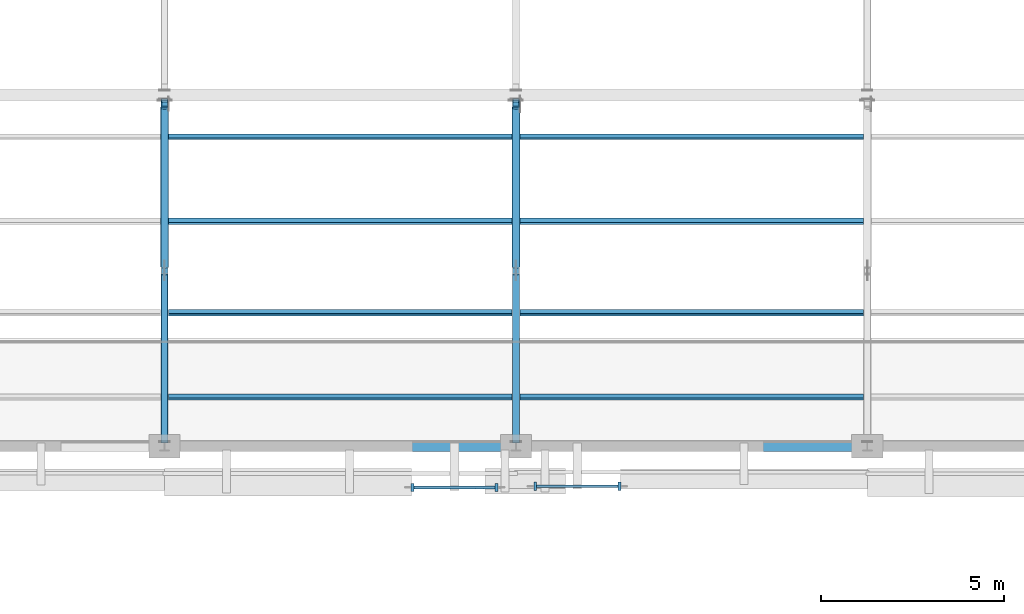
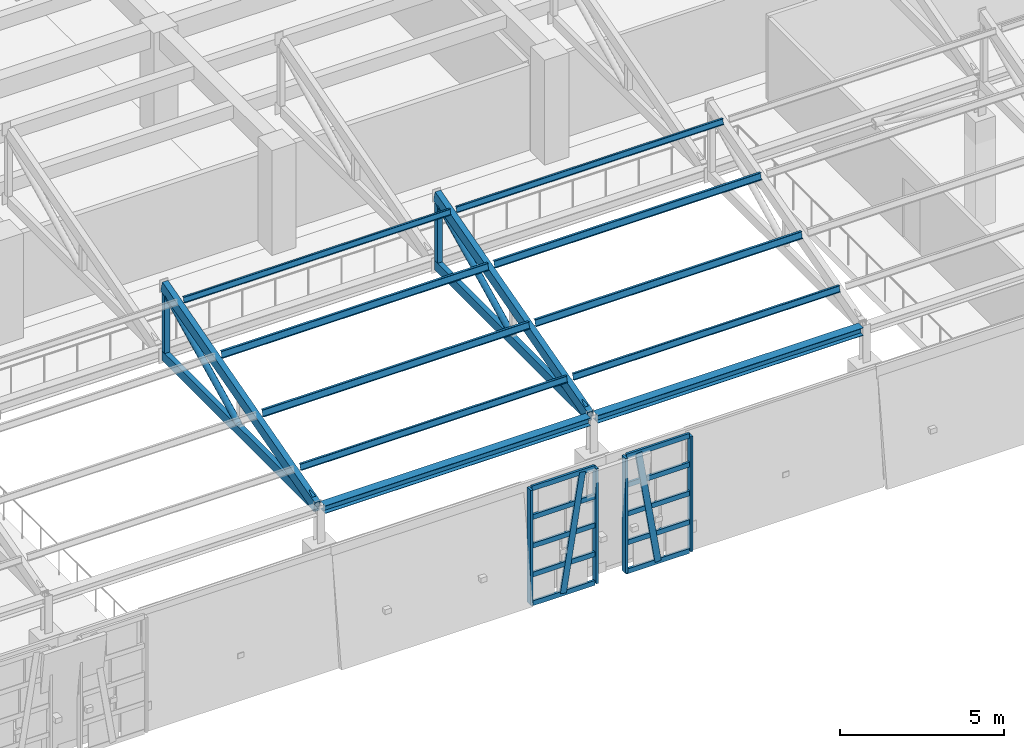
# One storey, part 15 of 58: 34 members, 2 beams, 2 elements without a shape of their own.
"""IFC4 building model written with IfcOpenShell, lengths in metres."""

from ifc_helpers import new_model, si_unit, direction, frame, origin, origin_2d, place, context, subcontext, project, spatial, rectangle, hollow_rectangle, hollow_circle, i_section, extrude, material, layer, layer_set, material_profile, profile_set, type_object, element, aggregate, save


model = new_model("IFC4")

# Units and contexts
model_context = context("Model", 3, precision=1e-05, world=origin(), true_north=direction((0.0, 1.0)))
body_context = subcontext(model_context, "Body", "Model", "MODEL_VIEW")
ifc_project = project(units=[si_unit("LENGTHUNIT", "METRE"), si_unit("AREAUNIT", "SQUARE_METRE"), si_unit("VOLUMEUNIT", "CUBIC_METRE"), si_unit("PLANEANGLEUNIT", "RADIAN"), si_unit("MASSUNIT", "GRAM", prefix="KILO")], contexts=[model_context])

# Site, building, storey
site_placement = place(None, origin())
site = spatial("IfcSite", under=ifc_project, at=site_placement, CompositionType="ELEMENT")
building_placement = place(site_placement, origin())
building = spatial("IfcBuilding", under=site, at=building_placement, Name="Bempovik Park Faculty of Sciences", CompositionType="ELEMENT")
storey_placement = place(building_placement, frame((0.0, 0.0, 18.300048828125)))
storey = spatial("IfcBuildingStorey", under=building, at=storey_placement, Name="L04", CompositionType="ELEMENT", Elevation=18.300048828125)

# Beams
ifc_material_1 = material(Name="Steel S355", Category="steel")
ifc_material_profile_1 = material_profile(ifc_material_1, i_section(OverallWidth=0.300048828125, OverallDepth=0.2900390625, WebThickness=0.008544921875, FlangeThickness=0.013916015625, at=origin_2d()), Name="HEA 300")
ifc_profile_set_1 = profile_set([ifc_material_profile_1], Name="Steel S355")
beam_type = type_object("IfcBeamType", Name="B-131 HEA 300", PredefinedType="BEAM", material=ifc_profile_set_1)
beam_1_placement = place(storey_placement, frame((79.330078125, 67.800048828125, 5.179931640625), z_axis=(1.0, 0.0, 0.0), x_axis=(0.0, 1.0, 0.0)))
element("IfcBeam", 1, at=beam_1_placement, inside=storey, type_object=beam_type, Name="Sawtooth Valley Tie Beam V2-B1 (79.2-88.8)", PredefinedType="BEAM", context=body_context, shape_type="SweptSolid", body=[
    extrude(i_section(OverallWidth=0.300048828125, OverallDepth=0.2900390625, WebThickness=0.008544921875, FlangeThickness=0.013916015625, at=origin_2d()), origin(), (0.0, 0.0, 1.0), 9.33984375),
])
beam_2_placement = place(storey_placement, frame((88.929931640625, 67.800048828125, 5.179931640625), z_axis=(1.0, 0.0, 0.0), x_axis=(0.0, 1.0, 0.0)))
element("IfcBeam", 2, at=beam_2_placement, inside=storey, type_object=beam_type, Name="Sawtooth Valley Tie Beam V2-B1 (88.8-98.4)", PredefinedType="BEAM", context=body_context, shape_type="SweptSolid", body=[
    extrude(i_section(OverallWidth=0.300048828125, OverallDepth=0.2900390625, WebThickness=0.008544921875, FlangeThickness=0.013916015625, at=origin_2d()), origin(), (0.0, 0.0, 1.0), 9.340087890625),
])

# Members
ifc_material_profile_2 = material_profile(ifc_material_1, hollow_rectangle(XDim=0.175048828125, YDim=0.35009765625, WallThickness=0.012451171875, at=origin_2d()), Name="RHS 350x175x12.5")
ifc_profile_set_2 = profile_set([ifc_material_profile_2], Name="Steel S355")
member_type_1 = type_object("IfcMemberType", Name="M-15 RHS 350x175x12.5", PredefinedType="CHORD", material=ifc_profile_set_2)
for number, where, z_axis, x_axis, name in (
    (3, (79.199951171875, 67.93603515625, 5.179931640625), (0.0, 1.0, 0.0), (-1.0, 0.0, 0.0), "Sawtooth Bottom Chord V2-B1 (79.2)"),
    (4, (88.800048828125, 67.93603515625, 5.179931640625), (0.0, 1.0, 0.0), (-1.0, 0.0, 0.0), "Sawtooth Bottom Chord V2-B1 (88.8)"),
):
    element("IfcMember", number, at=place(storey_placement, frame(where, z_axis=z_axis, x_axis=x_axis)), inside=storey, type_object=member_type_1, Name=name, PredefinedType="CHORD", context=body_context, shape_type="SweptSolid", body=[
        extrude(hollow_rectangle(XDim=0.175048828125, YDim=0.35009765625, WallThickness=0.012451171875, at=origin_2d()), origin(), (0.0, 0.0, 1.0), 9.307861328125),
    ])
ifc_material_profile_3 = material_profile(ifc_material_1, i_section(OverallWidth=0.110107421875, OverallDepth=0.219970703125, WebThickness=0.005859375, FlangeThickness=0.00927734375, at=origin_2d()), Name="IPE 220")
ifc_profile_set_3 = profile_set([ifc_material_profile_3], Name="Steel S355")
member_type_2 = type_object("IfcMemberType", Name="M-18 IPE 220", PredefinedType="PURLIN", material=ifc_profile_set_3)
member_1_placement = place(storey_placement, frame((79.305908203125, 69.14404296875, 5.87744140625), z_axis=(1.0, 0.0, 0.0), x_axis=(0.0, 0.965925826289, -0.258819045103)))
element("IfcMember", 5, at=member_1_placement, inside=storey, type_object=member_type_2, Name="Sawtooth Roof Purlin V2-B1 (79.2-88.8) #1", PredefinedType="PURLIN", context=body_context, shape_type="SweptSolid", body=[
    extrude(i_section(OverallWidth=0.110107421875, OverallDepth=0.219970703125, WebThickness=0.005859375, FlangeThickness=0.00927734375, at=origin_2d()), origin(), (0.0, 0.0, 1.0), 9.38818359375),
])
member_2_placement = place(storey_placement, frame((88.906005859375, 69.14404296875, 5.87744140625), z_axis=(1.0, 0.0, 0.0), x_axis=(0.0, 0.965925826289, -0.258819045103)))
element("IfcMember", 6, at=member_2_placement, inside=storey, type_object=member_type_2, Name="Sawtooth Roof Purlin V2-B1 (88.8-98.4) #1", PredefinedType="PURLIN", context=body_context, shape_type="SweptSolid", body=[
    extrude(i_section(OverallWidth=0.110107421875, OverallDepth=0.219970703125, WebThickness=0.005859375, FlangeThickness=0.00927734375, at=origin_2d()), origin(), (0.0, 0.0, 1.0), 9.387939453125),
])
ifc_material_profile_4 = material_profile(ifc_material_1, hollow_circle(Radius=0.109619140625, WallThickness=0.010009765625, at=origin_2d()), Name="CHS 219.1x10")
ifc_profile_set_4 = profile_set([ifc_material_profile_4], Name="Steel S355")
member_type_3 = type_object("IfcMemberType", Name="M-22 CHS 219.1x10", PredefinedType="BRACE", material=ifc_profile_set_4)
for number, where, z_axis, x_axis, name in (
    (7, (79.199951171875, 72.705078125, 5.36083984375), (0.0, 0.896782958268, 0.442470706105), (-1.0, 0.0, 0.0), "Sawtooth Web Diagonal 2 V2-B1 (79.2)"),
    (8, (88.800048828125, 72.705078125, 5.36083984375), (0.0, 0.896782958268, 0.442470706105), (-1.0, 0.0, 0.0), "Sawtooth Web Diagonal 2 V2-B1 (88.8)"),
):
    element("IfcMember", number, at=place(storey_placement, frame(where, z_axis=z_axis, x_axis=x_axis)), inside=storey, type_object=member_type_3, Name=name, PredefinedType="BRACE", context=body_context, shape_type="SweptSolid", body=[
        extrude(hollow_circle(Radius=0.109619140625, WallThickness=0.010009765625, at=origin_2d()), origin(), (0.0, 0.0, 1.0), 4.844970703125),
    ])
ifc_material_profile_5 = material_profile(ifc_material_1, hollow_rectangle(XDim=0.179931640625, YDim=0.179931640625, WallThickness=0.008056640625, at=origin_2d()), Name="SHS 180x180x8")
ifc_profile_set_5 = profile_set([ifc_material_profile_5], Name="Steel S355")
member_type_4 = type_object("IfcMemberType", Name="M-40 SHS 180x180x8", PredefinedType="POST", material=ifc_profile_set_5)
for number, where, z_axis, x_axis, name in (
    (9, (79.199951171875, 77.14990234375, 5.36083984375), (0.0, 0.0, 1.0), (1.0, 0.0, 0.0), "Sawtooth North-Light Post V2-B1 (79.2)"),
    (10, (88.800048828125, 77.14990234375, 5.36083984375), (0.0, 0.0, 1.0), (1.0, 0.0, 0.0), "Sawtooth North-Light Post V2-B1 (88.8)"),
):
    element("IfcMember", number, at=place(storey_placement, frame(where, z_axis=z_axis, x_axis=x_axis)), inside=storey, type_object=member_type_4, Name=name, PredefinedType="POST", context=body_context, shape_type="SweptSolid", body=[
        extrude(hollow_rectangle(XDim=0.179931640625, YDim=0.179931640625, WallThickness=0.008056640625, at=origin_2d()), origin(), (0.0, 0.0, 1.0), 2.143798828125),
    ])
ifc_material_profile_6 = material_profile(ifc_material_1, i_section(OverallWidth=0.10009765625, OverallDepth=0.199951171875, WebThickness=0.005615234375, FlangeThickness=0.008544921875, at=origin_2d()), Name="IPE 200")
ifc_profile_set_6 = profile_set([ifc_material_profile_6], Name="Steel S355")
member_type_5 = type_object("IfcMemberType", Name="M-48 IPE 200", PredefinedType="PURLIN", material=ifc_profile_set_6)
member_3_placement = place(storey_placement, frame((79.305908203125, 76.248046875, 7.790771484375), z_axis=(1.0, 0.0, 0.0), x_axis=(0.0, 0.965925826289, -0.258819045103)))
element("IfcMember", 11, at=member_3_placement, inside=storey, type_object=member_type_5, Name="Sawtooth Roof Purlin V2-B1 (79.2-88.8) #4", PredefinedType="PURLIN", context=body_context, shape_type="SweptSolid", body=[
    extrude(i_section(OverallWidth=0.10009765625, OverallDepth=0.199951171875, WebThickness=0.005615234375, FlangeThickness=0.008544921875, at=origin_2d()), origin(), (0.0, 0.0, 1.0), 9.38818359375),
])
member_4_placement = place(storey_placement, frame((88.906005859375, 76.248046875, 7.790771484375), z_axis=(1.0, 0.0, 0.0), x_axis=(0.0, 0.965925826289, -0.258819045103)))
element("IfcMember", 12, at=member_4_placement, inside=storey, type_object=member_type_5, Name="Sawtooth Roof Purlin V2-B1 (88.8-98.4) #4", PredefinedType="PURLIN", context=body_context, shape_type="SweptSolid", body=[
    extrude(i_section(OverallWidth=0.10009765625, OverallDepth=0.199951171875, WebThickness=0.005615234375, FlangeThickness=0.008544921875, at=origin_2d()), origin(), (0.0, 0.0, 1.0), 9.387939453125),
])
ifc_material_profile_7 = material_profile(ifc_material_1, hollow_rectangle(XDim=0.199951171875, YDim=0.39990234375, WallThickness=0.01611328125, at=origin_2d()), Name="RHS 400x200x16")
ifc_profile_set_7 = profile_set([ifc_material_profile_7], Name="Steel S355")
member_type_6 = type_object("IfcMemberType", Name="M-53 RHS 400x200x16", PredefinedType="CHORD", material=ifc_profile_set_7)
for number, where, z_axis, x_axis, name in (
    (13, (79.199951171875, 67.93603515625, 5.182373046875), (0.0, 0.963870941046, 0.266369684849), (-1.0, 0.0, 0.0), "Sawtooth Top Rafter Chord V2-B1 (79.2)"),
    (14, (88.800048828125, 67.93603515625, 5.182373046875), (0.0, 0.963870941046, 0.266369684849), (-1.0, 0.0, 0.0), "Sawtooth Top Rafter Chord V2-B1 (88.8)"),
):
    element("IfcMember", number, at=place(storey_placement, frame(where, z_axis=z_axis, x_axis=x_axis)), inside=storey, type_object=member_type_6, Name=name, PredefinedType="CHORD", context=body_context, shape_type="SweptSolid", body=[
        extrude(hollow_rectangle(XDim=0.199951171875, YDim=0.39990234375, WallThickness=0.01611328125, at=origin_2d()), origin(), (0.0, 0.0, 1.0), 9.65673828125),
    ])
ifc_material_profile_8 = material_profile(ifc_material_1, hollow_circle(Radius=0.096923828125, WallThickness=0.008056640625, at=origin_2d()), Name="CHS 193.7x8")
ifc_profile_set_8 = profile_set([ifc_material_profile_8], Name="Steel S355")
member_type_7 = type_object("IfcMemberType", Name="M-74 CHS 193.7x8", PredefinedType="BRACE", material=ifc_profile_set_8)
for number, where, z_axis, x_axis, name in (
    (15, (79.199951171875, 68.110107421875, 5.36083984375), (0.0, 0.980118341504, 0.198413801554), (-1.0, 0.0, 0.0), "Sawtooth Web Diagonal 1 V2-B1 (79.2)"),
    (16, (88.800048828125, 68.110107421875, 5.36083984375), (0.0, 0.980118341504, 0.198413801554), (-1.0, 0.0, 0.0), "Sawtooth Web Diagonal 1 V2-B1 (88.8)"),
):
    element("IfcMember", number, at=place(storey_placement, frame(where, z_axis=z_axis, x_axis=x_axis)), inside=storey, type_object=member_type_7, Name=name, PredefinedType="BRACE", context=body_context, shape_type="SweptSolid", body=[
        extrude(hollow_circle(Radius=0.096923828125, WallThickness=0.008056640625, at=origin_2d()), origin(), (0.0, 0.0, 1.0), 4.473876953125),
    ])
ifc_material_profile_9 = material_profile(ifc_material_1, i_section(OverallWidth=0.1201171875, OverallDepth=0.239990234375, WebThickness=0.006103515625, FlangeThickness=0.009765625, at=origin_2d()), Name="IPE 240")
ifc_profile_set_9 = profile_set([ifc_material_profile_9], Name="Steel S355")
member_type_8 = type_object("IfcMemberType", Name="M-86 IPE 240", PredefinedType="PURLIN", material=ifc_profile_set_9)
for number, where, z_axis, x_axis, name in (
    (17, (79.305908203125, 71.447998046875, 6.48486328125), (1.0, 0.0, 0.0), (0.0, 0.965925826289, -0.258819045103), "Sawtooth Roof Purlin V2-B1 (79.2-88.8) #2"),
    (18, (79.305908203125, 73.944091796875, 7.153564453125), (1.0, 0.0, 0.0), (0.0, 0.965925826289, -0.258819045103), "Sawtooth Roof Purlin V2-B1 (79.2-88.8) #3"),
):
    element("IfcMember", number, at=place(storey_placement, frame(where, z_axis=z_axis, x_axis=x_axis)), inside=storey, type_object=member_type_8, Name=name, PredefinedType="PURLIN", context=body_context, shape_type="SweptSolid", body=[
        extrude(i_section(OverallWidth=0.1201171875, OverallDepth=0.239990234375, WebThickness=0.006103515625, FlangeThickness=0.009765625, at=origin_2d()), origin(), (0.0, 0.0, 1.0), 9.38818359375),
    ])
for number, where, z_axis, x_axis, name in (
    (19, (88.906005859375, 71.447998046875, 6.48486328125), (1.0, 0.0, 0.0), (0.0, 0.965925826289, -0.258819045103), "Sawtooth Roof Purlin V2-B1 (88.8-98.4) #2"),
    (20, (88.906005859375, 73.944091796875, 7.153564453125), (1.0, 0.0, 0.0), (0.0, 0.965925826289, -0.258819045103), "Sawtooth Roof Purlin V2-B1 (88.8-98.4) #3"),
):
    element("IfcMember", number, at=place(storey_placement, frame(where, z_axis=z_axis, x_axis=x_axis)), inside=storey, type_object=member_type_8, Name=name, PredefinedType="PURLIN", context=body_context, shape_type="SweptSolid", body=[
        extrude(i_section(OverallWidth=0.1201171875, OverallDepth=0.239990234375, WebThickness=0.006103515625, FlangeThickness=0.009765625, at=origin_2d()), origin(), (0.0, 0.0, 1.0), 9.387939453125),
    ])

# Curtain wall, members
ifc_material_2 = material(Name="Tempered laminated low-E glass", Category="glass")
ifc_layer = layer(ifc_material_2, 0.159912109375)
ifc_layer_set = layer_set([ifc_layer], Name="Tempered laminated low-E glass")
curtain_wall_type = type_object("IfcCurtainWallType", Name="CW-33 Curtain 2400x4000", PredefinedType="USERDEFINED", material=ifc_layer_set)
curtain_wall_1_placement = place(storey_placement, origin())
curtain_wall_1 = element("IfcCurtainWall", 21, at=curtain_wall_1_placement, inside=storey, type_object=curtain_wall_type, Name="L04 Crystal Slantwise Light Fold (67.8,79.2)", ObjectType="UNITISED CURTAIN WALL", PredefinedType="USERDEFINED")
ifc_material_3 = material(Name="Anodised architectural bronze", Category="aluminium")
ifc_material_profile_10 = material_profile(ifc_material_3, rectangle(XDim=0.080078125, YDim=0.219970703125, at=origin_2d()), Name="ALU-M 80x220")
ifc_profile_set_10 = profile_set([ifc_material_profile_10], Name="Anodised architectural bronze")
member_type_9 = type_object("IfcMemberType", Name="ML-29 ALU-M 80x220", PredefinedType="MULLION", material=ifc_profile_set_10)
member_5_placement = place(storey_placement, frame((85.972900390625, 66.6748046875, -0.0400390625), z_axis=(0.0, 0.0, 1.0), x_axis=(1.0, 0.0, 0.0)))
member_5 = element("IfcMember", 22, at=member_5_placement, type_object=member_type_9, Name="CW-FOLD-L04-678-792 Mullion 0", PredefinedType="MULLION", context=body_context, shape_type="SweptSolid", body=[
    extrude(rectangle(XDim=0.080078125, YDim=0.219970703125, at=origin_2d()), origin(), (0.0, 0.0, 1.0), 4.280029296875),
])
member_6_placement = place(storey_placement, frame((87.123046875, 66.6748046875, -0.0400390625), z_axis=(0.156894017146, 0.0, 0.987615445092), x_axis=(0.0, 1.0, 0.0)))
member_6 = element("IfcMember", 23, at=member_6_placement, type_object=member_type_9, Name="CW-FOLD-L04-678-792 Mullion 1", PredefinedType="MULLION", context=body_context, shape_type="SweptSolid", body=[
    extrude(rectangle(XDim=0.080078125, YDim=0.219970703125, at=origin_2d()), origin(), (0.0, 0.0, 1.0), 4.333740234375),
])
member_7_placement = place(storey_placement, frame((88.27294921875, 66.6748046875, -0.0400390625), z_axis=(0.0, 0.0, 1.0), x_axis=(1.0, 0.0, 0.0)))
member_7 = element("IfcMember", 24, at=member_7_placement, type_object=member_type_9, Name="CW-FOLD-L04-678-792 Mullion 2", PredefinedType="MULLION", context=body_context, shape_type="SweptSolid", body=[
    extrude(rectangle(XDim=0.080078125, YDim=0.219970703125, at=origin_2d()), origin(), (0.0, 0.0, 1.0), 4.280029296875),
])

curtain_wall_2_placement = place(storey_placement, origin())
curtain_wall_2 = element("IfcCurtainWall", 25, at=curtain_wall_2_placement, inside=storey, type_object=curtain_wall_type, Name="L04 Crystal Slantwise Light Fold (67.8,88.8)", ObjectType="UNITISED CURTAIN WALL", PredefinedType="USERDEFINED")
member_8_placement = place(storey_placement, frame((89.326904296875, 66.704345703125, -0.0400390625), z_axis=(0.0, 0.0, 1.0), x_axis=(1.0, 0.0, 0.0)))
member_8 = element("IfcMember", 26, at=member_8_placement, type_object=member_type_9, Name="CW-FOLD-L04-678-888 Mullion 0", PredefinedType="MULLION", context=body_context, shape_type="SweptSolid", body=[
    extrude(rectangle(XDim=0.080078125, YDim=0.219970703125, at=origin_2d()), origin(), (0.0, 0.0, 1.0), 4.280029296875),
])
member_9_placement = place(storey_placement, frame((90.47705078125, 66.704345703125, -0.0400390625), z_axis=(-0.156894017146, 0.0, 0.987615445092), x_axis=(0.0, -1.0, 0.0)))
member_9 = element("IfcMember", 27, at=member_9_placement, type_object=member_type_9, Name="CW-FOLD-L04-678-888 Mullion 1", PredefinedType="MULLION", context=body_context, shape_type="SweptSolid", body=[
    extrude(rectangle(XDim=0.080078125, YDim=0.219970703125, at=origin_2d()), origin(), (0.0, 0.0, 1.0), 4.333740234375),
])
member_10_placement = place(storey_placement, frame((91.626953125, 66.704345703125, -0.0400390625), z_axis=(0.0, 0.0, 1.0), x_axis=(1.0, 0.0, 0.0)))
member_10 = element("IfcMember", 28, at=member_10_placement, type_object=member_type_9, Name="CW-FOLD-L04-678-888 Mullion 2", PredefinedType="MULLION", context=body_context, shape_type="SweptSolid", body=[
    extrude(rectangle(XDim=0.080078125, YDim=0.219970703125, at=origin_2d()), origin(), (0.0, 0.0, 1.0), 4.280029296875),
])

# Member
ifc_material_profile_11 = material_profile(ifc_material_3, rectangle(XDim=0.080078125, YDim=0.179931640625, at=origin_2d()), Name="ALU-T 80x180")
ifc_profile_set_11 = profile_set([ifc_material_profile_11], Name="Anodised architectural bronze")
member_type_10 = type_object("IfcMemberType", Name="TR-29 ALU-T 80x180", PredefinedType="USERDEFINED", material=ifc_profile_set_11)
member_11_placement = place(storey_placement, frame((86.012939453125, 66.6748046875, -0.0400390625), z_axis=(1.0, 0.0, 0.0), x_axis=(0.0, 1.0, 0.0)))
member_11 = element("IfcMember", 29, at=member_11_placement, type_object=member_type_10, Name="CW-FOLD-L04-678-792 Transom 0", ObjectType="TRANSOM", PredefinedType="USERDEFINED", context=body_context, shape_type="SweptSolid", body=[
    extrude(rectangle(XDim=0.080078125, YDim=0.179931640625, at=origin_2d()), origin(), (0.0, 0.0, 1.0), 2.219970703125),
])

member_12_placement = place(storey_placement, frame((86.012939453125, 66.6748046875, 1.030029296875), z_axis=(1.0, 0.0, 0.0), x_axis=(0.0, 1.0, 0.0)))
member_12 = element("IfcMember", 30, at=member_12_placement, type_object=member_type_10, Name="CW-FOLD-L04-678-792 Transom 1", ObjectType="TRANSOM", PredefinedType="USERDEFINED", context=body_context, shape_type="SweptSolid", body=[
    extrude(rectangle(XDim=0.080078125, YDim=0.179931640625, at=origin_2d()), origin(), (0.0, 0.0, 1.0), 2.219970703125),
])

member_13_placement = place(storey_placement, frame((86.012939453125, 66.6748046875, 2.099853515625), z_axis=(1.0, 0.0, 0.0), x_axis=(0.0, 1.0, 0.0)))
member_13 = element("IfcMember", 31, at=member_13_placement, type_object=member_type_10, Name="CW-FOLD-L04-678-792 Transom 2", ObjectType="TRANSOM", PredefinedType="USERDEFINED", context=body_context, shape_type="SweptSolid", body=[
    extrude(rectangle(XDim=0.080078125, YDim=0.179931640625, at=origin_2d()), origin(), (0.0, 0.0, 1.0), 2.219970703125),
])

member_14_placement = place(storey_placement, frame((86.012939453125, 66.6748046875, 3.169921875), z_axis=(1.0, 0.0, 0.0), x_axis=(0.0, 1.0, 0.0)))
member_14 = element("IfcMember", 32, at=member_14_placement, type_object=member_type_10, Name="CW-FOLD-L04-678-792 Transom 3", ObjectType="TRANSOM", PredefinedType="USERDEFINED", context=body_context, shape_type="SweptSolid", body=[
    extrude(rectangle(XDim=0.080078125, YDim=0.179931640625, at=origin_2d()), origin(), (0.0, 0.0, 1.0), 2.219970703125),
])

member_15_placement = place(storey_placement, frame((86.012939453125, 66.6748046875, 4.239990234375), z_axis=(1.0, 0.0, 0.0), x_axis=(0.0, 1.0, 0.0)))
member_15 = element("IfcMember", 33, at=member_15_placement, type_object=member_type_10, Name="CW-FOLD-L04-678-792 Transom 4", ObjectType="TRANSOM", PredefinedType="USERDEFINED", context=body_context, shape_type="SweptSolid", body=[
    extrude(rectangle(XDim=0.080078125, YDim=0.179931640625, at=origin_2d()), origin(), (0.0, 0.0, 1.0), 2.219970703125),
])

aggregate(curtain_wall_1, [member_5, member_6, member_7, member_11, member_12, member_13, member_14, member_15])

member_16_placement = place(storey_placement, frame((89.366943359375, 66.704345703125, -0.0400390625), z_axis=(1.0, 0.0, 0.0), x_axis=(0.0, 1.0, 0.0)))
member_16 = element("IfcMember", 34, at=member_16_placement, type_object=member_type_10, Name="CW-FOLD-L04-678-888 Transom 0", ObjectType="TRANSOM", PredefinedType="USERDEFINED", context=body_context, shape_type="SweptSolid", body=[
    extrude(rectangle(XDim=0.080078125, YDim=0.179931640625, at=origin_2d()), origin(), (0.0, 0.0, 1.0), 2.219970703125),
])

member_17_placement = place(storey_placement, frame((89.366943359375, 66.704345703125, 1.030029296875), z_axis=(1.0, 0.0, 0.0), x_axis=(0.0, 1.0, 0.0)))
member_17 = element("IfcMember", 35, at=member_17_placement, type_object=member_type_10, Name="CW-FOLD-L04-678-888 Transom 1", ObjectType="TRANSOM", PredefinedType="USERDEFINED", context=body_context, shape_type="SweptSolid", body=[
    extrude(rectangle(XDim=0.080078125, YDim=0.179931640625, at=origin_2d()), origin(), (0.0, 0.0, 1.0), 2.219970703125),
])

member_18_placement = place(storey_placement, frame((89.366943359375, 66.704345703125, 2.099853515625), z_axis=(1.0, 0.0, 0.0), x_axis=(0.0, 1.0, 0.0)))
member_18 = element("IfcMember", 36, at=member_18_placement, type_object=member_type_10, Name="CW-FOLD-L04-678-888 Transom 2", ObjectType="TRANSOM", PredefinedType="USERDEFINED", context=body_context, shape_type="SweptSolid", body=[
    extrude(rectangle(XDim=0.080078125, YDim=0.179931640625, at=origin_2d()), origin(), (0.0, 0.0, 1.0), 2.219970703125),
])

member_19_placement = place(storey_placement, frame((89.366943359375, 66.704345703125, 3.169921875), z_axis=(1.0, 0.0, 0.0), x_axis=(0.0, 1.0, 0.0)))
member_19 = element("IfcMember", 37, at=member_19_placement, type_object=member_type_10, Name="CW-FOLD-L04-678-888 Transom 3", ObjectType="TRANSOM", PredefinedType="USERDEFINED", context=body_context, shape_type="SweptSolid", body=[
    extrude(rectangle(XDim=0.080078125, YDim=0.179931640625, at=origin_2d()), origin(), (0.0, 0.0, 1.0), 2.219970703125),
])

member_20_placement = place(storey_placement, frame((89.366943359375, 66.704345703125, 4.239990234375), z_axis=(1.0, 0.0, 0.0), x_axis=(0.0, 1.0, 0.0)))
member_20 = element("IfcMember", 38, at=member_20_placement, type_object=member_type_10, Name="CW-FOLD-L04-678-888 Transom 4", ObjectType="TRANSOM", PredefinedType="USERDEFINED", context=body_context, shape_type="SweptSolid", body=[
    extrude(rectangle(XDim=0.080078125, YDim=0.179931640625, at=origin_2d()), origin(), (0.0, 0.0, 1.0), 2.219970703125),
])

aggregate(curtain_wall_2, [member_8, member_9, member_10, member_16, member_17, member_18, member_19, member_20])

save(model, "model.ifc")
